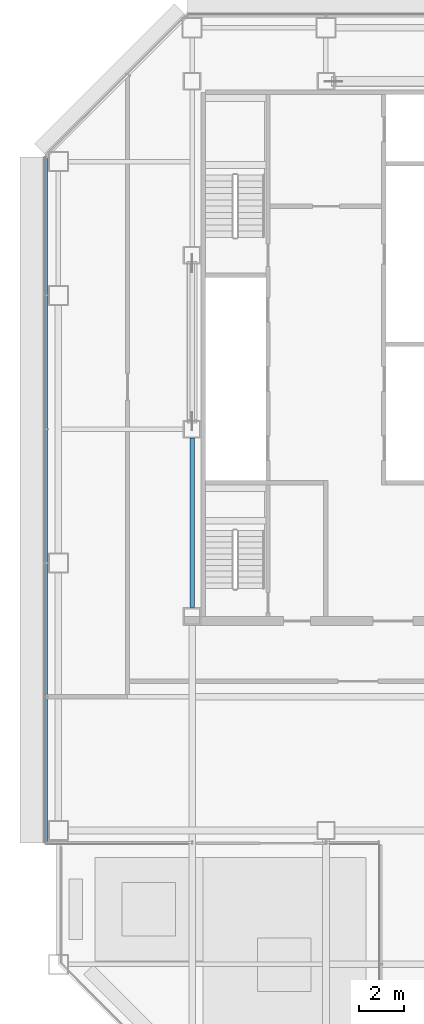
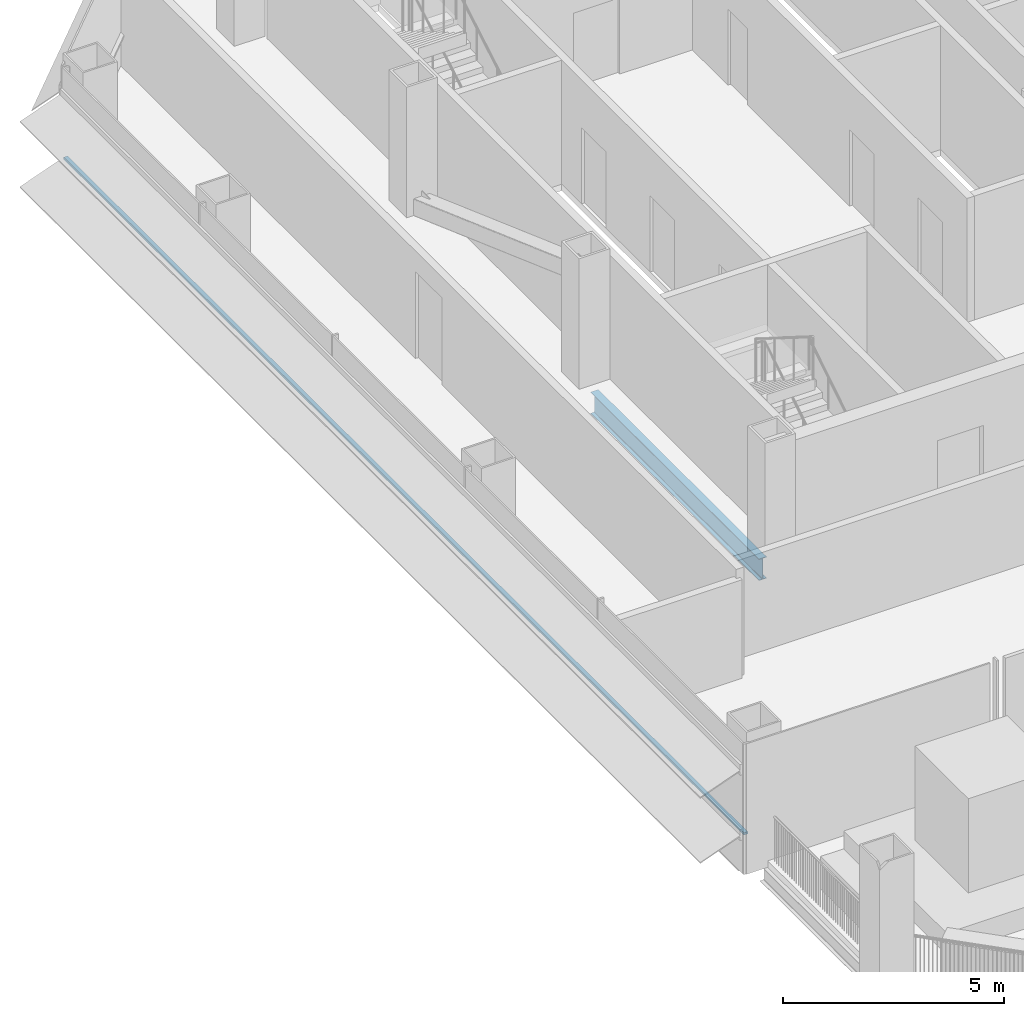
# One storey, part 5 of 28: 1 beam, 1 member, 1 element without a shape of its own.
"""IFC4 building model written with IfcOpenShell, lengths in metres."""

from ifc_helpers import new_model, si_unit, direction, frame, origin, origin_2d, place, context, subcontext, project, spatial, rectangle, i_section, extrude, material, material_profile, profile_set, type_object, element, aggregate, save


model = new_model("IFC4")

# Units and contexts
model_context = context("Model", 3, precision=1e-05, world=origin(), true_north=direction((0.0, 1.0)))
body_context = subcontext(model_context, "Body", "Model", "MODEL_VIEW")
ifc_project = project(units=[si_unit("LENGTHUNIT", "METRE"), si_unit("AREAUNIT", "SQUARE_METRE"), si_unit("VOLUMEUNIT", "CUBIC_METRE"), si_unit("PLANEANGLEUNIT", "RADIAN"), si_unit("MASSUNIT", "GRAM", prefix="KILO")], contexts=[model_context])

# Site, building, storey
site_placement = place(None, origin())
site = spatial("IfcSite", under=ifc_project, at=site_placement, CompositionType="ELEMENT")
building_placement = place(site_placement, origin())
building = spatial("IfcBuilding", under=site, at=building_placement, Name="Sorahane Residences", CompositionType="ELEMENT")
storey_placement = place(building_placement, frame((0.0, 0.0, 60.60009765625)))
storey = spatial("IfcBuildingStorey", under=building, at=storey_placement, Name="L11", CompositionType="ELEMENT", Elevation=60.60009765625)

# Curtain wall, member
ifc_material_1 = material(Name="Dark low-e glass and black anodised aluminium", Category="aluminium")
curtain_wall_type = type_object("IfcCurtainWallType", Name="Curtain wall CW-1 Typical unitised wall", PredefinedType="NOTDEFINED", material=ifc_material_1)
curtain_wall_placement = place(storey_placement, origin())
curtain_wall = element("IfcCurtainWall", 1, at=curtain_wall_placement, inside=storey, type_object=curtain_wall_type, Name="CW-1 curtain wall L11 W1", PredefinedType="NOTDEFINED")
ifc_material_2 = material(Name="Black anodised aluminium", Category="aluminium")
ifc_material_profile_1 = material_profile(ifc_material_2, rectangle(XDim=0.10009765625, YDim=0.06005859375, at=origin_2d()), Name="Curtain wall transom CW-1 black anodised aluminium 60x100")
ifc_profile_set_1 = profile_set([ifc_material_profile_1], Name="Black anodised aluminium")
member_type = type_object("IfcMemberType", Name="Curtain wall transom CW-1 black anodised aluminium 60x100", PredefinedType="USERDEFINED", material=ifc_profile_set_1)
member_placement = place(storey_placement, frame((-0.530029296875, 42.198486328125, 0.89990234375), z_axis=(0.0, -1.0, 0.0), x_axis=(1.0, 0.0, 0.0)))
member = element("IfcMember", 2, at=member_placement, type_object=member_type, Name="CW-1 transom L11 W1", ObjectType="TRANSOM", PredefinedType="USERDEFINED", context=body_context, shape_type="SweptSolid", body=[
    extrude(rectangle(XDim=0.10009765625, YDim=0.06005859375, at=origin_2d()), origin(), (0.0, 0.0, 1.0), 30.74853515625),
])
aggregate(curtain_wall, [member])

# Beam
ifc_material_3 = material(Name="Steel Q355B", Category="steel")
ifc_material_profile_2 = material_profile(ifc_material_3, i_section(OverallWidth=0.199951171875, OverallDepth=0.60009765625, WebThickness=0.010986328125, FlangeThickness=0.01708984375, FilletRadius=0.02392578125, at=origin_2d()), Name="HN 600x200x11x17")
ifc_profile_set_2 = profile_set([ifc_material_profile_2], Name="Steel Q355B")
beam_type = type_object("IfcBeamType", Name="Steel floor beam HN 600x200x11x17 Q355B", PredefinedType="BEAM", material=ifc_profile_set_2)
beam_placement = place(storey_placement, frame((6.0, 22.0, -0.47998046875), z_axis=(0.0, 1.0, 0.0), x_axis=(-1.0, 0.0, 0.0)))
element("IfcBeam", 3, at=beam_placement, inside=storey, type_object=beam_type, Name="Beam L11 023", PredefinedType="BEAM", context=body_context, shape_type="SweptSolid", body=[
    extrude(i_section(OverallWidth=0.199951171875, OverallDepth=0.60009765625, WebThickness=0.010986328125, FlangeThickness=0.01708984375, FilletRadius=0.02392578125, at=origin_2d()), origin(), (0.0, 0.0, 1.0), 7.60009765625),
])

save(model, "model.ifc")
